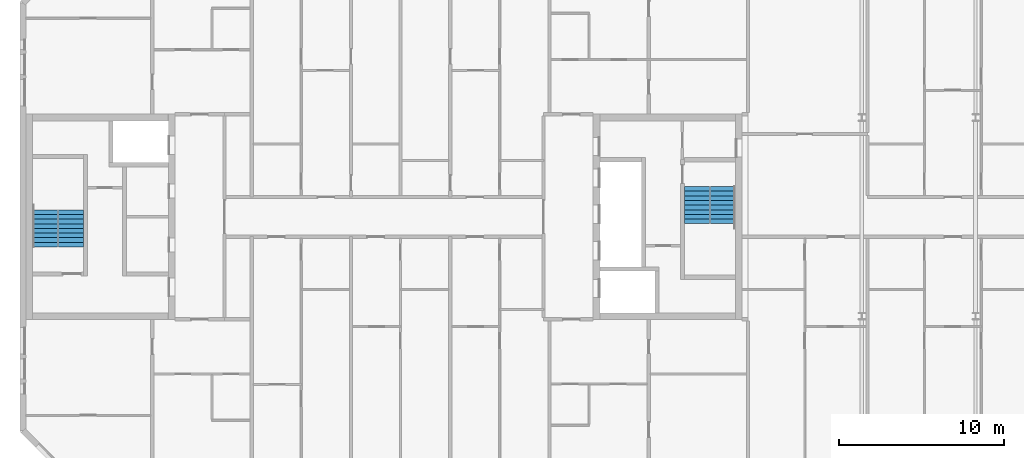
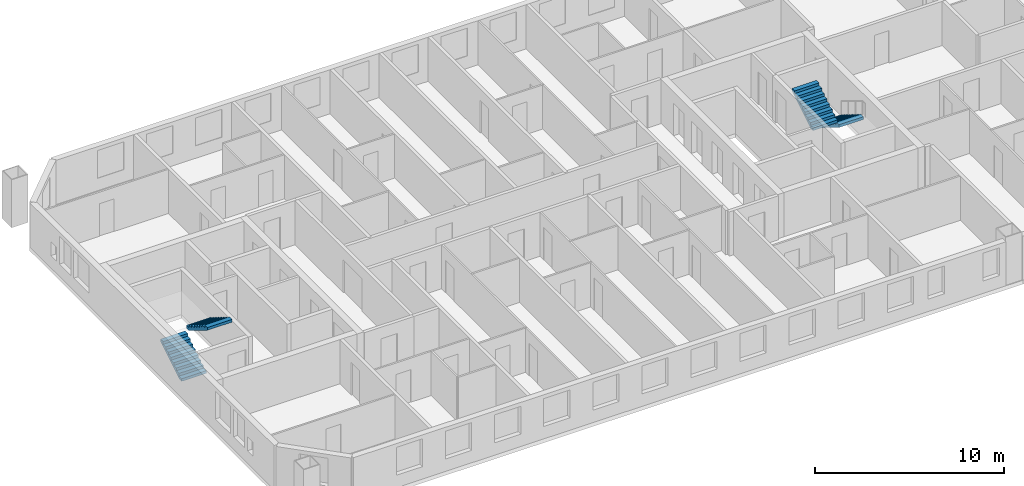
# One storey, part 18 of 19: 4 stair flights, 2 elements without a shape of their own.
"""IFC4 building model written with IfcOpenShell, lengths in metres."""

from ifc_helpers import new_model, si_unit, direction, frame, origin, place, context, subcontext, project, spatial, faceted_brep, material, type_object, element, aggregate, save


model = new_model("IFC4")

# Units and contexts
model_context = context("Model", 3, precision=1e-05, world=origin(), true_north=direction((0.0, 1.0)))
body_context = subcontext(model_context, "Body", "Model", "MODEL_VIEW")
ifc_project = project(units=[si_unit("LENGTHUNIT", "METRE"), si_unit("AREAUNIT", "SQUARE_METRE"), si_unit("VOLUMEUNIT", "CUBIC_METRE"), si_unit("PLANEANGLEUNIT", "RADIAN"), si_unit("MASSUNIT", "GRAM", prefix="KILO")], contexts=[model_context])

# Site, building, storey
site_placement = place(None, origin())
site = spatial("IfcSite", under=ifc_project, at=site_placement, CompositionType="ELEMENT")
building_placement = place(site_placement, origin())
building = spatial("IfcBuilding", under=site, at=building_placement, Name="Tuart Gate Housing", CompositionType="ELEMENT")
storey_placement = place(building_placement, frame((0.0, 0.0, 205.89990234375)))
storey = spatial("IfcBuildingStorey", under=building, at=storey_placement, Name="L58", CompositionType="ELEMENT", Elevation=205.89990234375)

# Stair, stair flights
ifc_material_1 = material(Name="Concrete C40", Category="concrete")
stair_type = type_object("IfcStairType", Name="Core stair 1500", PredefinedType="HALF_TURN_STAIR", material=ifc_material_1)
stair_1_placement = place(storey_placement, origin())
stair_1 = element("IfcStair", 1, at=stair_1_placement, inside=storey, type_object=stair_type, Name="Stair SA1", PredefinedType="HALF_TURN_STAIR")
ifc_material_2 = material(Name="Concrete C40", Category="concrete")
stair_flight_type = type_object("IfcStairFlightType", Name="Stair flight 1500, 9 risers 172 x 280", PredefinedType="STRAIGHT", material=ifc_material_2)
stair_flight_1_placement = place(storey_placement, frame((74.489990234375, 71.824951171875, 0.0), z_axis=(0.0, 0.0, 1.0), x_axis=(0.0, -1.0, 0.0)))
stair_flight_1 = element("IfcStairFlight", 2, at=stair_flight_1_placement, type_object=stair_flight_type, Name="SA1 flight 1", NumberOfRisers=9, NumberOfTreads=8, PredefinedType="STRAIGHT", RiserHeight=0.172222222, TreadLength=0.28, context=body_context, shape_type="Brep", body=[
    faceted_brep([(0.0, 0.75, 0.0), (0.0, 0.75, 0.172119140625), (0.280029296875, 0.75, 0.172119140625), (0.280029296875, 0.75, 0.344482421875), (0.56005859375, 0.75, 0.344482421875), (0.56005859375, 0.75, 0.5166015625), (0.840087890625, 0.75, 0.5166015625), (0.840087890625, 0.75, 0.68896484375), (1.1201171875, 0.75, 0.68896484375), (1.1201171875, 0.75, 0.861083984375), (1.39990234375, 0.75, 0.861083984375), (1.39990234375, 0.75, 1.033447265625), (1.679931640625, 0.75, 1.033447265625), (1.679931640625, 0.75, 1.20556640625), (1.9599609375, 0.75, 1.20556640625), (1.9599609375, 0.75, 1.377685546875), (2.239990234375, 0.75, 1.377685546875), (2.239990234375, 0.75, 1.201904296875), (0.2861328125, 0.75, 0.0), (0.2861328125, -0.75, 0.0), (2.239990234375, -0.75, 1.201904296875), (2.239990234375, -0.75, 1.377685546875), (1.9599609375, -0.75, 1.377685546875), (1.9599609375, -0.75, 1.20556640625), (1.679931640625, -0.75, 1.20556640625), (1.679931640625, -0.75, 1.033447265625), (1.39990234375, -0.75, 1.033447265625), (1.39990234375, -0.75, 0.861083984375), (1.1201171875, -0.75, 0.861083984375), (1.1201171875, -0.75, 0.68896484375), (0.840087890625, -0.75, 0.68896484375), (0.840087890625, -0.75, 0.5166015625), (0.56005859375, -0.75, 0.5166015625), (0.56005859375, -0.75, 0.344482421875), (0.280029296875, -0.75, 0.344482421875), (0.280029296875, -0.75, 0.172119140625), (0.0, -0.75, 0.172119140625), (0.0, -0.75, 0.0), (2.239990234375, 0.0, 1.201904296875), (0.2861328125, 0.0, 0.0), (2.239990234375, 0.0, 1.377685546875), (1.9599609375, 0.0, 1.377685546875), (1.9599609375, 0.0, 1.20556640625), (1.679931640625, 0.0, 1.20556640625), (1.679931640625, 0.0, 1.033447265625), (1.39990234375, 0.0, 1.033447265625), (1.39990234375, 0.0, 0.861083984375), (1.1201171875, 0.0, 0.861083984375), (1.1201171875, 0.0, 0.68896484375), (0.840087890625, 0.0, 0.68896484375), (0.840087890625, 0.0, 0.5166015625), (0.56005859375, 0.0, 0.5166015625), (0.56005859375, 0.0, 0.344482421875), (0.280029296875, 0.0, 0.344482421875), (0.280029296875, 0.0, 0.172119140625), (0.0, 0.0, 0.172119140625), (0.0, 0.0, 0.0)], [[[0, 1, 2, 3, 4, 5, 6, 7, 8, 9, 10, 11, 12, 13, 14, 15, 16, 17, 18]], [[19, 20, 21, 22, 23, 24, 25, 26, 27, 28, 29, 30, 31, 32, 33, 34, 35, 36, 37]], [[18, 17, 38, 39]], [[39, 38, 20, 19]], [[17, 16, 40, 38]], [[38, 40, 21, 20]], [[16, 15, 41, 40]], [[40, 41, 22, 21]], [[15, 14, 42, 41]], [[41, 42, 23, 22]], [[14, 13, 43, 42]], [[42, 43, 24, 23]], [[13, 12, 44, 43]], [[43, 44, 25, 24]], [[12, 11, 45, 44]], [[44, 45, 26, 25]], [[11, 10, 46, 45]], [[45, 46, 27, 26]], [[10, 9, 47, 46]], [[46, 47, 28, 27]], [[9, 8, 48, 47]], [[47, 48, 29, 28]], [[8, 7, 49, 48]], [[48, 49, 30, 29]], [[7, 6, 50, 49]], [[49, 50, 31, 30]], [[6, 5, 51, 50]], [[50, 51, 32, 31]], [[5, 4, 52, 51]], [[51, 52, 33, 32]], [[4, 3, 53, 52]], [[52, 53, 34, 33]], [[3, 2, 54, 53]], [[53, 54, 35, 34]], [[2, 1, 55, 54]], [[54, 55, 36, 35]], [[1, 0, 56, 55]], [[55, 56, 37, 36]], [[0, 18, 39, 56]], [[56, 39, 19, 37]]]),
])
stair_flight_2_placement = place(storey_placement, frame((72.9150390625, 69.5849609375, 1.550048828125), z_axis=(0.0, 0.0, 1.0), x_axis=(0.0, 1.0, 0.0)))
stair_flight_2 = element("IfcStairFlight", 3, at=stair_flight_2_placement, type_object=stair_flight_type, Name="SA1 flight 2", NumberOfRisers=9, NumberOfTreads=8, PredefinedType="STRAIGHT", RiserHeight=0.172222222, TreadLength=0.28, context=body_context, shape_type="Brep", body=[
    faceted_brep([(0.0, 0.75, 0.0), (0.0, 0.75, 0.172119140625), (0.280029296875, 0.75, 0.172119140625), (0.280029296875, 0.75, 0.344482421875), (0.56005859375, 0.75, 0.344482421875), (0.56005859375, 0.75, 0.5166015625), (0.840087890625, 0.75, 0.5166015625), (0.840087890625, 0.75, 0.68896484375), (1.1201171875, 0.75, 0.68896484375), (1.1201171875, 0.75, 0.861083984375), (1.39990234375, 0.75, 0.861083984375), (1.39990234375, 0.75, 1.033447265625), (1.679931640625, 0.75, 1.033447265625), (1.679931640625, 0.75, 1.20556640625), (1.9599609375, 0.75, 1.20556640625), (1.9599609375, 0.75, 1.377685546875), (2.239990234375, 0.75, 1.377685546875), (2.239990234375, 0.75, 1.201904296875), (0.2861328125, 0.75, 0.0), (0.2861328125, -0.75, 0.0), (2.239990234375, -0.75, 1.201904296875), (2.239990234375, -0.75, 1.377685546875), (1.9599609375, -0.75, 1.377685546875), (1.9599609375, -0.75, 1.20556640625), (1.679931640625, -0.75, 1.20556640625), (1.679931640625, -0.75, 1.033447265625), (1.39990234375, -0.75, 1.033447265625), (1.39990234375, -0.75, 0.861083984375), (1.1201171875, -0.75, 0.861083984375), (1.1201171875, -0.75, 0.68896484375), (0.840087890625, -0.75, 0.68896484375), (0.840087890625, -0.75, 0.5166015625), (0.56005859375, -0.75, 0.5166015625), (0.56005859375, -0.75, 0.344482421875), (0.280029296875, -0.75, 0.344482421875), (0.280029296875, -0.75, 0.172119140625), (0.0, -0.75, 0.172119140625), (0.0, -0.75, 0.0), (2.239990234375, 0.0, 1.201904296875), (0.2861328125, 0.0, 0.0), (2.239990234375, 0.0, 1.377685546875), (1.9599609375, 0.0, 1.377685546875), (1.9599609375, 0.0, 1.20556640625), (1.679931640625, 0.0, 1.20556640625), (1.679931640625, 0.0, 1.033447265625), (1.39990234375, 0.0, 1.033447265625), (1.39990234375, 0.0, 0.861083984375), (1.1201171875, 0.0, 0.861083984375), (1.1201171875, 0.0, 0.68896484375), (0.840087890625, 0.0, 0.68896484375), (0.840087890625, 0.0, 0.5166015625), (0.56005859375, 0.0, 0.5166015625), (0.56005859375, 0.0, 0.344482421875), (0.280029296875, 0.0, 0.344482421875), (0.280029296875, 0.0, 0.172119140625), (0.0, 0.0, 0.172119140625), (0.0, 0.0, 0.0)], [[[0, 1, 2, 3, 4, 5, 6, 7, 8, 9, 10, 11, 12, 13, 14, 15, 16, 17, 18]], [[19, 20, 21, 22, 23, 24, 25, 26, 27, 28, 29, 30, 31, 32, 33, 34, 35, 36, 37]], [[18, 17, 38, 39]], [[39, 38, 20, 19]], [[17, 16, 40, 38]], [[38, 40, 21, 20]], [[16, 15, 41, 40]], [[40, 41, 22, 21]], [[15, 14, 42, 41]], [[41, 42, 23, 22]], [[14, 13, 43, 42]], [[42, 43, 24, 23]], [[13, 12, 44, 43]], [[43, 44, 25, 24]], [[12, 11, 45, 44]], [[44, 45, 26, 25]], [[11, 10, 46, 45]], [[45, 46, 27, 26]], [[10, 9, 47, 46]], [[46, 47, 28, 27]], [[9, 8, 48, 47]], [[47, 48, 29, 28]], [[8, 7, 49, 48]], [[48, 49, 30, 29]], [[7, 6, 50, 49]], [[49, 50, 31, 30]], [[6, 5, 51, 50]], [[50, 51, 32, 31]], [[5, 4, 52, 51]], [[51, 52, 33, 32]], [[4, 3, 53, 52]], [[52, 53, 34, 33]], [[3, 2, 54, 53]], [[53, 54, 35, 34]], [[2, 1, 55, 54]], [[54, 55, 36, 35]], [[1, 0, 56, 55]], [[55, 56, 37, 36]], [[0, 18, 39, 56]], [[56, 39, 19, 37]]]),
])
aggregate(stair_1, [stair_flight_1, stair_flight_2])

stair_2_placement = place(storey_placement, origin())
stair_2 = element("IfcStair", 4, at=stair_2_placement, inside=storey, type_object=stair_type, Name="Stair SA2", PredefinedType="HALF_TURN_STAIR")
stair_flight_3_placement = place(storey_placement, frame((33.510009765625, 68.175048828125, 0.0), z_axis=(0.0, 0.0, 1.0), x_axis=(0.0, 1.0, 0.0)))
stair_flight_3 = element("IfcStairFlight", 5, at=stair_flight_3_placement, type_object=stair_flight_type, Name="SA2 flight 1", NumberOfRisers=9, NumberOfTreads=8, PredefinedType="STRAIGHT", RiserHeight=0.172222222, TreadLength=0.28, context=body_context, shape_type="Brep", body=[
    faceted_brep([(0.0, 0.75, 0.0), (0.0, 0.75, 0.172119140625), (0.280029296875, 0.75, 0.172119140625), (0.280029296875, 0.75, 0.344482421875), (0.56005859375, 0.75, 0.344482421875), (0.56005859375, 0.75, 0.5166015625), (0.840087890625, 0.75, 0.5166015625), (0.840087890625, 0.75, 0.68896484375), (1.1201171875, 0.75, 0.68896484375), (1.1201171875, 0.75, 0.861083984375), (1.39990234375, 0.75, 0.861083984375), (1.39990234375, 0.75, 1.033447265625), (1.679931640625, 0.75, 1.033447265625), (1.679931640625, 0.75, 1.20556640625), (1.9599609375, 0.75, 1.20556640625), (1.9599609375, 0.75, 1.377685546875), (2.239990234375, 0.75, 1.377685546875), (2.239990234375, 0.75, 1.201904296875), (0.2861328125, 0.75, 0.0), (0.2861328125, -0.75, 0.0), (2.239990234375, -0.75, 1.201904296875), (2.239990234375, -0.75, 1.377685546875), (1.9599609375, -0.75, 1.377685546875), (1.9599609375, -0.75, 1.20556640625), (1.679931640625, -0.75, 1.20556640625), (1.679931640625, -0.75, 1.033447265625), (1.39990234375, -0.75, 1.033447265625), (1.39990234375, -0.75, 0.861083984375), (1.1201171875, -0.75, 0.861083984375), (1.1201171875, -0.75, 0.68896484375), (0.840087890625, -0.75, 0.68896484375), (0.840087890625, -0.75, 0.5166015625), (0.56005859375, -0.75, 0.5166015625), (0.56005859375, -0.75, 0.344482421875), (0.280029296875, -0.75, 0.344482421875), (0.280029296875, -0.75, 0.172119140625), (0.0, -0.75, 0.172119140625), (0.0, -0.75, 0.0), (2.239990234375, 0.0, 1.201904296875), (0.2861328125, 0.0, 0.0), (2.239990234375, 0.0, 1.377685546875), (1.9599609375, 0.0, 1.377685546875), (1.9599609375, 0.0, 1.20556640625), (1.679931640625, 0.0, 1.20556640625), (1.679931640625, 0.0, 1.033447265625), (1.39990234375, 0.0, 1.033447265625), (1.39990234375, 0.0, 0.861083984375), (1.1201171875, 0.0, 0.861083984375), (1.1201171875, 0.0, 0.68896484375), (0.840087890625, 0.0, 0.68896484375), (0.840087890625, 0.0, 0.5166015625), (0.56005859375, 0.0, 0.5166015625), (0.56005859375, 0.0, 0.344482421875), (0.280029296875, 0.0, 0.344482421875), (0.280029296875, 0.0, 0.172119140625), (0.0, 0.0, 0.172119140625), (0.0, 0.0, 0.0)], [[[0, 1, 2, 3, 4, 5, 6, 7, 8, 9, 10, 11, 12, 13, 14, 15, 16, 17, 18]], [[19, 20, 21, 22, 23, 24, 25, 26, 27, 28, 29, 30, 31, 32, 33, 34, 35, 36, 37]], [[18, 17, 38, 39]], [[39, 38, 20, 19]], [[17, 16, 40, 38]], [[38, 40, 21, 20]], [[16, 15, 41, 40]], [[40, 41, 22, 21]], [[15, 14, 42, 41]], [[41, 42, 23, 22]], [[14, 13, 43, 42]], [[42, 43, 24, 23]], [[13, 12, 44, 43]], [[43, 44, 25, 24]], [[12, 11, 45, 44]], [[44, 45, 26, 25]], [[11, 10, 46, 45]], [[45, 46, 27, 26]], [[10, 9, 47, 46]], [[46, 47, 28, 27]], [[9, 8, 48, 47]], [[47, 48, 29, 28]], [[8, 7, 49, 48]], [[48, 49, 30, 29]], [[7, 6, 50, 49]], [[49, 50, 31, 30]], [[6, 5, 51, 50]], [[50, 51, 32, 31]], [[5, 4, 52, 51]], [[51, 52, 33, 32]], [[4, 3, 53, 52]], [[52, 53, 34, 33]], [[3, 2, 54, 53]], [[53, 54, 35, 34]], [[2, 1, 55, 54]], [[54, 55, 36, 35]], [[1, 0, 56, 55]], [[55, 56, 37, 36]], [[0, 18, 39, 56]], [[56, 39, 19, 37]]]),
])
stair_flight_4_placement = place(storey_placement, frame((35.0849609375, 70.4150390625, 1.550048828125), z_axis=(0.0, 0.0, 1.0), x_axis=(0.0, -1.0, 0.0)))
stair_flight_4 = element("IfcStairFlight", 6, at=stair_flight_4_placement, type_object=stair_flight_type, Name="SA2 flight 2", NumberOfRisers=9, NumberOfTreads=8, PredefinedType="STRAIGHT", RiserHeight=0.172222222, TreadLength=0.28, context=body_context, shape_type="Brep", body=[
    faceted_brep([(0.0, 0.75, 0.0), (0.0, 0.75, 0.172119140625), (0.280029296875, 0.75, 0.172119140625), (0.280029296875, 0.75, 0.344482421875), (0.56005859375, 0.75, 0.344482421875), (0.56005859375, 0.75, 0.5166015625), (0.840087890625, 0.75, 0.5166015625), (0.840087890625, 0.75, 0.68896484375), (1.1201171875, 0.75, 0.68896484375), (1.1201171875, 0.75, 0.861083984375), (1.39990234375, 0.75, 0.861083984375), (1.39990234375, 0.75, 1.033447265625), (1.679931640625, 0.75, 1.033447265625), (1.679931640625, 0.75, 1.20556640625), (1.9599609375, 0.75, 1.20556640625), (1.9599609375, 0.75, 1.377685546875), (2.239990234375, 0.75, 1.377685546875), (2.239990234375, 0.75, 1.201904296875), (0.2861328125, 0.75, 0.0), (0.2861328125, -0.75, 0.0), (2.239990234375, -0.75, 1.201904296875), (2.239990234375, -0.75, 1.377685546875), (1.9599609375, -0.75, 1.377685546875), (1.9599609375, -0.75, 1.20556640625), (1.679931640625, -0.75, 1.20556640625), (1.679931640625, -0.75, 1.033447265625), (1.39990234375, -0.75, 1.033447265625), (1.39990234375, -0.75, 0.861083984375), (1.1201171875, -0.75, 0.861083984375), (1.1201171875, -0.75, 0.68896484375), (0.840087890625, -0.75, 0.68896484375), (0.840087890625, -0.75, 0.5166015625), (0.56005859375, -0.75, 0.5166015625), (0.56005859375, -0.75, 0.344482421875), (0.280029296875, -0.75, 0.344482421875), (0.280029296875, -0.75, 0.172119140625), (0.0, -0.75, 0.172119140625), (0.0, -0.75, 0.0), (2.239990234375, 0.0, 1.201904296875), (0.2861328125, 0.0, 0.0), (2.239990234375, 0.0, 1.377685546875), (1.9599609375, 0.0, 1.377685546875), (1.9599609375, 0.0, 1.20556640625), (1.679931640625, 0.0, 1.20556640625), (1.679931640625, 0.0, 1.033447265625), (1.39990234375, 0.0, 1.033447265625), (1.39990234375, 0.0, 0.861083984375), (1.1201171875, 0.0, 0.861083984375), (1.1201171875, 0.0, 0.68896484375), (0.840087890625, 0.0, 0.68896484375), (0.840087890625, 0.0, 0.5166015625), (0.56005859375, 0.0, 0.5166015625), (0.56005859375, 0.0, 0.344482421875), (0.280029296875, 0.0, 0.344482421875), (0.280029296875, 0.0, 0.172119140625), (0.0, 0.0, 0.172119140625), (0.0, 0.0, 0.0)], [[[0, 1, 2, 3, 4, 5, 6, 7, 8, 9, 10, 11, 12, 13, 14, 15, 16, 17, 18]], [[19, 20, 21, 22, 23, 24, 25, 26, 27, 28, 29, 30, 31, 32, 33, 34, 35, 36, 37]], [[18, 17, 38, 39]], [[39, 38, 20, 19]], [[17, 16, 40, 38]], [[38, 40, 21, 20]], [[16, 15, 41, 40]], [[40, 41, 22, 21]], [[15, 14, 42, 41]], [[41, 42, 23, 22]], [[14, 13, 43, 42]], [[42, 43, 24, 23]], [[13, 12, 44, 43]], [[43, 44, 25, 24]], [[12, 11, 45, 44]], [[44, 45, 26, 25]], [[11, 10, 46, 45]], [[45, 46, 27, 26]], [[10, 9, 47, 46]], [[46, 47, 28, 27]], [[9, 8, 48, 47]], [[47, 48, 29, 28]], [[8, 7, 49, 48]], [[48, 49, 30, 29]], [[7, 6, 50, 49]], [[49, 50, 31, 30]], [[6, 5, 51, 50]], [[50, 51, 32, 31]], [[5, 4, 52, 51]], [[51, 52, 33, 32]], [[4, 3, 53, 52]], [[52, 53, 34, 33]], [[3, 2, 54, 53]], [[53, 54, 35, 34]], [[2, 1, 55, 54]], [[54, 55, 36, 35]], [[1, 0, 56, 55]], [[55, 56, 37, 36]], [[0, 18, 39, 56]], [[56, 39, 19, 37]]]),
])
aggregate(stair_2, [stair_flight_3, stair_flight_4])

save(model, "model.ifc")
